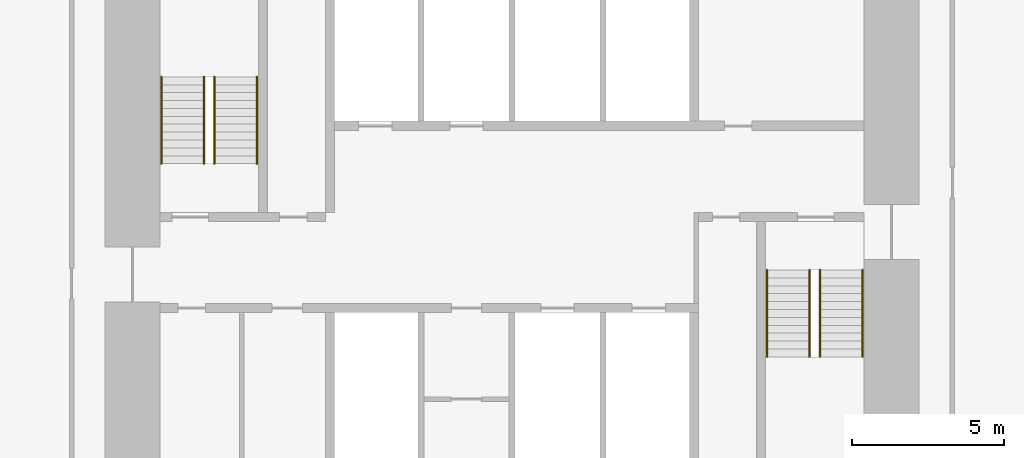
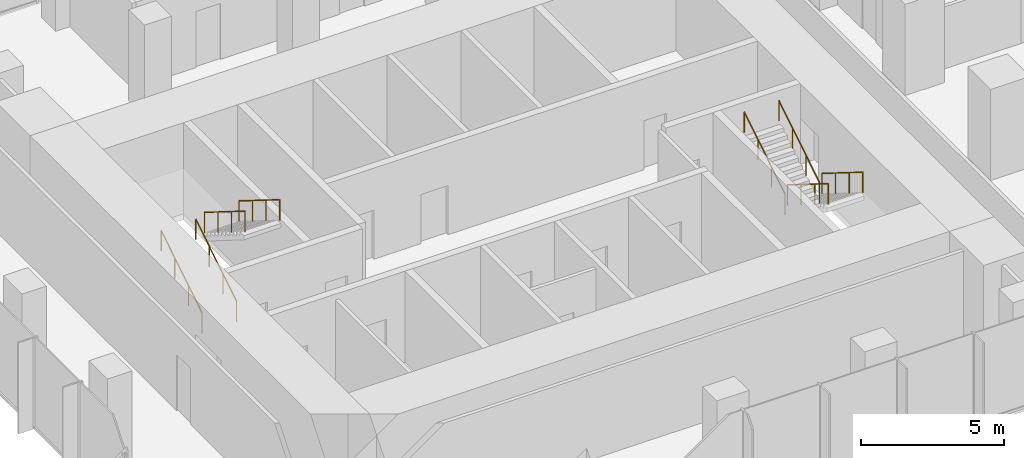
# One storey, part 10 of 10: 8 railings.
"""IFC4 building model written with IfcOpenShell, lengths in metres."""

from ifc_helpers import new_model, si_unit, direction, frame, origin, origin_2d, place, context, subcontext, project, spatial, circle, extrude, material, type_object, element, save


model = new_model("IFC4")

# Units and contexts
model_context = context("Model", 3, precision=1e-05, world=origin(), true_north=direction((0.0, 1.0)))
body_context = subcontext(model_context, "Body", "Model", "MODEL_VIEW")
ifc_project = project(units=[si_unit("LENGTHUNIT", "METRE"), si_unit("AREAUNIT", "SQUARE_METRE"), si_unit("VOLUMEUNIT", "CUBIC_METRE"), si_unit("PLANEANGLEUNIT", "RADIAN"), si_unit("MASSUNIT", "GRAM", prefix="KILO")], contexts=[model_context])

# Site, building, storey
site_placement = place(None, origin())
site = spatial("IfcSite", under=ifc_project, at=site_placement, CompositionType="ELEMENT")
building_placement = place(site_placement, origin())
building = spatial("IfcBuilding", under=site, at=building_placement, Name="Highveld Stack Headquarters", CompositionType="ELEMENT")
storey_placement = place(building_placement, frame((0.0, 0.0, 252.800048828125)))
storey = spatial("IfcBuildingStorey", under=building, at=storey_placement, Name="L62", CompositionType="ELEMENT", Elevation=252.800048828125)

# Railings
ifc_material = material(Name="Stainless steel handrail", Category="steel")
railing_type = type_object("IfcRailingType", Name="STAIR HANDRAIL HR1 900", PredefinedType="HANDRAIL", material=ifc_material)
for number, where, name in (
    (1, (-5.550048828125, 4.75, 0.162353515625), "Handrail S1 L62 flight 1"),
    (2, (-4.14990234375, 4.75, 0.162353515625), "Handrail S1 L62 flight 1"),
):
    element("IfcRailing", number, at=place(storey_placement, frame(where)), inside=storey, type_object=railing_type, Name=name, PredefinedType="HANDRAIL", context=body_context, shape_type="SweptSolid", body=[
        extrude(circle(Radius=0.02392578125, at=origin_2d()), frame((0.0, 0.0, 0.8759765625), z_axis=(0.0, 0.847994237388, 0.530005446535), x_axis=(-1.0, 0.0, 0.0)), (0.0, 0.0, 1.0), 3.372802734375),
        extrude(circle(Radius=0.02099609375, at=origin_2d()), origin(), (0.0, 0.0, 1.0), 0.851806640625),
        extrude(circle(Radius=0.02099609375, at=origin_2d()), frame((0.0, 0.953369140625, 0.595947265625)), (0.0, 0.0, 1.0), 0.851806640625),
        extrude(circle(Radius=0.02099609375, at=origin_2d()), frame((0.0, 1.90673828125, 1.191650390625)), (0.0, 0.0, 1.0), 0.851806640625),
        extrude(circle(Radius=0.02099609375, at=origin_2d()), frame((0.0, 2.860107421875, 1.78759765625)), (0.0, 0.0, 1.0), 0.851806640625),
    ])
for number, where, name in (
    (3, (-3.800048828125, 7.610107421875, 2.112548828125), "Handrail S1 L62 flight 2"),
    (4, (-2.39990234375, 7.610107421875, 2.112548828125), "Handrail S1 L62 flight 2"),
):
    element("IfcRailing", number, at=place(storey_placement, frame(where)), inside=storey, type_object=railing_type, Name=name, PredefinedType="HANDRAIL", context=body_context, shape_type="SweptSolid", body=[
        extrude(circle(Radius=0.02392578125, at=origin_2d()), frame((0.0, 0.0, 0.8759765625), z_axis=(0.0, -0.848026770018, 0.529953391661), x_axis=(1.0, 0.0, 0.0)), (0.0, 0.0, 1.0), 3.37255859375),
        extrude(circle(Radius=0.02099609375, at=origin_2d()), origin(), (0.0, 0.0, 1.0), 0.851806640625),
        extrude(circle(Radius=0.02099609375, at=origin_2d()), frame((0.0, -0.953369140625, 0.595703125)), (0.0, 0.0, 1.0), 0.851806640625),
        extrude(circle(Radius=0.02099609375, at=origin_2d()), frame((0.0, -1.90673828125, 1.191650390625)), (0.0, 0.0, 1.0), 0.851806640625),
        extrude(circle(Radius=0.02099609375, at=origin_2d()), frame((0.0, -2.860107421875, 1.787353515625)), (0.0, 0.0, 1.0), 0.851806640625),
    ])
for number, where, name in (
    (5, (16.14990234375, 1.25, 0.162353515625), "Handrail S2 L62 flight 1"),
    (6, (17.550048828125, 1.25, 0.162353515625), "Handrail S2 L62 flight 1"),
):
    element("IfcRailing", number, at=place(storey_placement, frame(where)), inside=storey, type_object=railing_type, Name=name, PredefinedType="HANDRAIL", context=body_context, shape_type="SweptSolid", body=[
        extrude(circle(Radius=0.02392578125, at=origin_2d()), frame((0.0, 0.0, 0.8759765625), z_axis=(0.0, -0.847994237388, 0.530005446535), x_axis=(1.0, 0.0, 0.0)), (0.0, 0.0, 1.0), 3.372802734375),
        extrude(circle(Radius=0.02099609375, at=origin_2d()), origin(), (0.0, 0.0, 1.0), 0.851806640625),
        extrude(circle(Radius=0.02099609375, at=origin_2d()), frame((0.0, -0.953369140625, 0.595947265625)), (0.0, 0.0, 1.0), 0.851806640625),
        extrude(circle(Radius=0.02099609375, at=origin_2d()), frame((0.0, -1.90673828125, 1.191650390625)), (0.0, 0.0, 1.0), 0.851806640625),
        extrude(circle(Radius=0.02099609375, at=origin_2d()), frame((0.0, -2.860107421875, 1.78759765625)), (0.0, 0.0, 1.0), 0.851806640625),
    ])
for number, where, name in (
    (7, (14.39990234375, -1.610107421875, 2.112548828125), "Handrail S2 L62 flight 2"),
    (8, (15.800048828125, -1.610107421875, 2.112548828125), "Handrail S2 L62 flight 2"),
):
    element("IfcRailing", number, at=place(storey_placement, frame(where)), inside=storey, type_object=railing_type, Name=name, PredefinedType="HANDRAIL", context=body_context, shape_type="SweptSolid", body=[
        extrude(circle(Radius=0.02392578125, at=origin_2d()), frame((0.0, 0.0, 0.8759765625), z_axis=(0.0, 0.848026770018, 0.529953391661), x_axis=(-1.0, 0.0, 0.0)), (0.0, 0.0, 1.0), 3.37255859375),
        extrude(circle(Radius=0.02099609375, at=origin_2d()), origin(), (0.0, 0.0, 1.0), 0.851806640625),
        extrude(circle(Radius=0.02099609375, at=origin_2d()), frame((0.0, 0.953369140625, 0.595703125)), (0.0, 0.0, 1.0), 0.851806640625),
        extrude(circle(Radius=0.02099609375, at=origin_2d()), frame((0.0, 1.90673828125, 1.191650390625)), (0.0, 0.0, 1.0), 0.851806640625),
        extrude(circle(Radius=0.02099609375, at=origin_2d()), frame((0.0, 2.860107421875, 1.787353515625)), (0.0, 0.0, 1.0), 0.851806640625),
    ])

save(model, "model.ifc")
